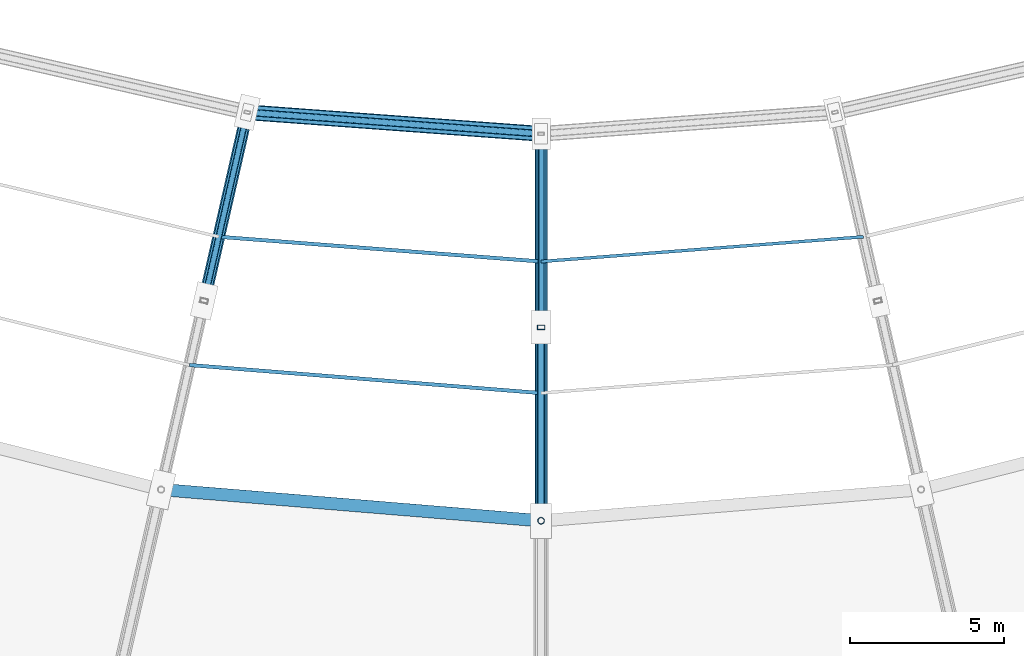
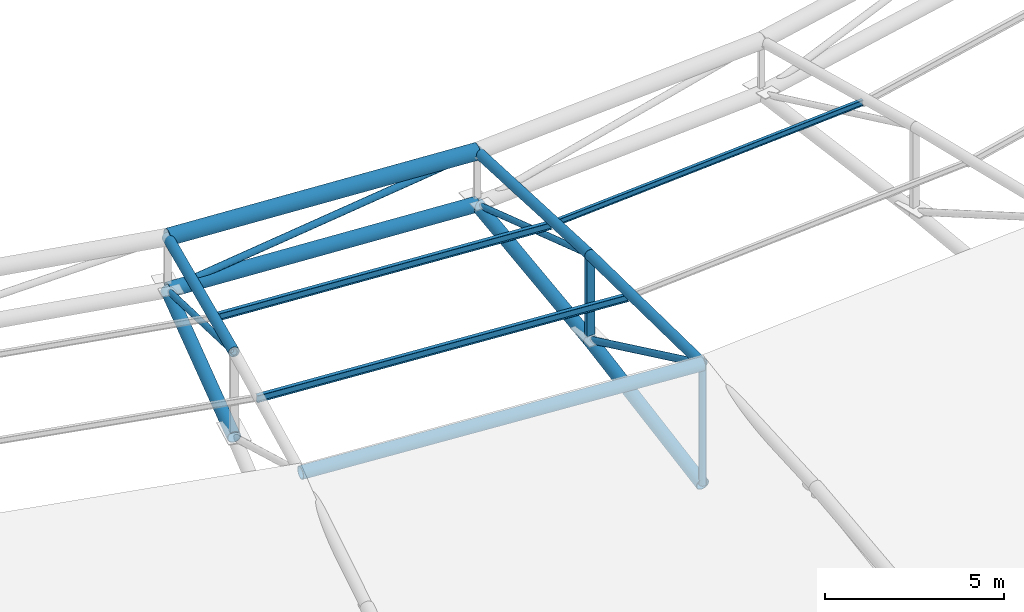
# One storey, part 21 of 108: 18 members.
"""IFC4 building model written with IfcOpenShell, lengths in metres."""

from ifc_helpers import new_model, si_unit, direction, frame, origin, origin_2d, place, context, subcontext, project, spatial, hollow_rectangle, hollow_circle, i_section, extrude, material, material_profile, profile_set, type_object, element, save


model = new_model("IFC4")

# Units and contexts
model_context = context("Model", 3, precision=1e-05, world=origin(), true_north=direction((0.0, 1.0)))
body_context = subcontext(model_context, "Body", "Model", "MODEL_VIEW")
ifc_project = project(units=[si_unit("LENGTHUNIT", "METRE"), si_unit("AREAUNIT", "SQUARE_METRE"), si_unit("VOLUMEUNIT", "CUBIC_METRE"), si_unit("PLANEANGLEUNIT", "RADIAN"), si_unit("MASSUNIT", "GRAM", prefix="KILO")], contexts=[model_context])

# Site, building, storey
site_placement = place(None, origin())
site = spatial("IfcSite", under=ifc_project, at=site_placement, CompositionType="ELEMENT")
building_placement = place(site_placement, origin())
building = spatial("IfcBuilding", under=site, at=building_placement, Name="Zevraka Park Crest Stadium", CompositionType="ELEMENT")
storey_placement = place(building_placement, frame((0.0, 0.0, 29.39990234375)))
storey = spatial("IfcBuildingStorey", under=building, at=storey_placement, Name="RF", CompositionType="ELEMENT", Elevation=29.39990234375)

# Members
ifc_material_1 = material(Name="Steel S355", Category="steel")
ifc_material_profile_1 = material_profile(ifc_material_1, i_section(OverallWidth=0.1201171875, OverallDepth=0.239990234375, WebThickness=0.006103515625, FlangeThickness=0.009765625, at=origin_2d()), Name="IPE 240")
ifc_profile_set_1 = profile_set([ifc_material_profile_1], Name="Steel S355")
member_type_1 = type_object("IfcMemberType", Name="PR01", PredefinedType="PURLIN", material=ifc_profile_set_1)
member_1_placement = place(storey_placement, frame((100.552978515625, 56.471923828125, 9.153076171875), z_axis=(0.996828716776, -0.079577065858, 0.0), x_axis=(0.079577065858, 0.996828716776, 0.0)))
element("IfcMember", 1, at=member_1_placement, inside=storey, type_object=member_type_1, Name="Canopy Roof Purlin PR01 INNER-21-1", PredefinedType="PURLIN", context=body_context, shape_type="SweptSolid", body=[
    extrude(i_section(OverallWidth=0.1201171875, OverallDepth=0.239990234375, WebThickness=0.006103515625, FlangeThickness=0.009765625, at=origin_2d()), origin(), (0.0, 0.0, 1.0), 11.4833984375),
])
member_2_placement = place(storey_placement, frame((101.507080078125, 60.64794921875, 9.01708984375), z_axis=(0.99706348524, -0.076579412382, 0.0), x_axis=(0.076579412382, 0.99706348524, 0.0)))
element("IfcMember", 2, at=member_2_placement, inside=storey, type_object=member_type_1, Name="Canopy Roof Purlin PR01 INNER-21-2", PredefinedType="PURLIN", context=body_context, shape_type="SweptSolid", body=[
    extrude(i_section(OverallWidth=0.1201171875, OverallDepth=0.239990234375, WebThickness=0.006103515625, FlangeThickness=0.009765625, at=origin_2d()), origin(), (0.0, 0.0, 1.0), 10.52392578125),
])
ifc_material_2 = material(Name="Steel S355", Category="steel")
ifc_material_profile_2 = material_profile(ifc_material_2, i_section(OverallWidth=0.10009765625, OverallDepth=0.199951171875, WebThickness=0.005615234375, FlangeThickness=0.008544921875, at=origin_2d()), Name="IPE 200")
ifc_profile_set_2 = profile_set([ifc_material_profile_2], Name="Steel S355")
member_type_2 = type_object("IfcMemberType", Name="PR03", PredefinedType="PURLIN", material=ifc_profile_set_2)
member_3_placement = place(storey_placement, frame((112.0, 59.842041015625, 9.037109375), z_axis=(0.99706348524, 0.076579412382, 0.0), x_axis=(-0.076579412382, 0.99706348524, 0.0)))
element("IfcMember", 3, at=member_3_placement, inside=storey, type_object=member_type_2, Name="Canopy Roof Purlin PR03 INNER-22-2", PredefinedType="PURLIN", context=body_context, shape_type="SweptSolid", body=[
    extrude(i_section(OverallWidth=0.10009765625, OverallDepth=0.199951171875, WebThickness=0.005615234375, FlangeThickness=0.008544921875, at=origin_2d()), origin(), (0.0, 0.0, 1.0), 10.52392578125),
])
ifc_material_3 = material(Name="Steel S355", Category="steel")
ifc_material_profile_3 = material_profile(ifc_material_3, hollow_circle(Radius=0.25390625, WallThickness=0.030029296875, at=origin_2d()), Name="CHS 508.0x30")
ifc_profile_set_3 = profile_set([ifc_material_profile_3], Name="Steel S355")
member_type_3 = type_object("IfcMemberType", Name="TC01", PredefinedType="CHORD", material=ifc_profile_set_3)
member_4_placement = place(storey_placement, frame((102.431884765625, 64.701904296875, 9.0), z_axis=(0.997320063798, -0.073162082708, 0.0), x_axis=(0.073162082708, 0.997320063798, 0.0)))
element("IfcMember", 4, at=member_4_placement, inside=storey, type_object=member_type_3, Name="Roof Inner Oculus Compression-Tension Ring TC01 21", PredefinedType="CHORD", context=body_context, shape_type="SweptSolid", body=[
    extrude(hollow_circle(Radius=0.25390625, WallThickness=0.030029296875, at=origin_2d()), origin(), (0.0, 0.0, 1.0), 9.59375),
])
ifc_material_4 = material(Name="Steel S355", Category="steel")
ifc_material_profile_4 = material_profile(ifc_material_4, hollow_circle(Radius=0.228515625, WallThickness=0.02490234375, at=origin_2d()), Name="CHS 457.0x25")
ifc_profile_set_4 = profile_set([ifc_material_profile_4], Name="Steel S355")
member_type_4 = type_object("IfcMemberType", Name="TC02", PredefinedType="CHORD", material=ifc_profile_set_4)
member_5_placement = place(storey_placement, frame((102.431884765625, 64.701904296875, 7.2001953125), z_axis=(0.997320063798, -0.073162082708, 0.0), x_axis=(0.073162082708, 0.997320063798, 0.0)))
element("IfcMember", 5, at=member_5_placement, inside=storey, type_object=member_type_4, Name="Roof Inner Oculus Bottom Ring TC02 21", PredefinedType="CHORD", context=body_context, shape_type="SweptSolid", body=[
    extrude(hollow_circle(Radius=0.228515625, WallThickness=0.02490234375, at=origin_2d()), origin(), (0.0, 0.0, 1.0), 9.59375),
])
ifc_material_5 = material(Name="Steel S355", Category="steel")
ifc_material_profile_5 = material_profile(ifc_material_5, hollow_circle(Radius=0.203125, WallThickness=0.02001953125, at=origin_2d()), Name="CHS 406.4x20")
ifc_profile_set_5 = profile_set([ifc_material_profile_5], Name="Steel S355")
member_type_5 = type_object("IfcMemberType", Name="TC03", PredefinedType="CHORD", material=ifc_profile_set_5)
member_6_placement = place(storey_placement, frame((101.030029296875, 58.56005859375, 6.400146484375), z_axis=(0.220750829989, 0.967159287709, 0.125984059539), x_axis=(-0.974927248717, 0.222523840765, 0.0)))
element("IfcMember", 6, at=member_6_placement, inside=storey, type_object=member_type_5, Name="Roof Truss Bottom Chord TC03 T21-7", PredefinedType="CHORD", context=body_context, shape_type="SweptSolid", body=[
    extrude(hollow_circle(Radius=0.203125, WallThickness=0.02001953125, at=origin_2d()), origin(), (0.0, 0.0, 1.0), 6.350341796875),
])
member_7_placement = place(storey_placement, frame((112.0, 51.39990234375, 5.300048828125), z_axis=(0.0, 0.985094409339, 0.172014547897), x_axis=(-1.0, 0.0, 0.0)))
element("IfcMember", 7, at=member_7_placement, inside=storey, type_object=member_type_5, Name="Roof Truss Bottom Chord TC03 T22-6", PredefinedType="CHORD", context=body_context, shape_type="SweptSolid", body=[
    extrude(hollow_circle(Radius=0.203125, WallThickness=0.02001953125, at=origin_2d()), origin(), (0.0, 0.0, 1.0), 6.395263671875),
])
member_8_placement = place(storey_placement, frame((112.0, 57.699951171875, 6.400146484375), z_axis=(0.0, 0.992032890363, 0.125979142868), x_axis=(-1.0, 0.0, 0.0)))
element("IfcMember", 8, at=member_8_placement, inside=storey, type_object=member_type_5, Name="Roof Truss Bottom Chord TC03 T22-7", PredefinedType="CHORD", context=body_context, shape_type="SweptSolid", body=[
    extrude(hollow_circle(Radius=0.203125, WallThickness=0.02001953125, at=origin_2d()), origin(), (0.0, 0.0, 1.0), 6.3505859375),
])
member_9_placement = place(storey_placement, frame((99.6279296875, 52.41796875, 9.400146484375), z_axis=(0.996631482992, -0.082010286607, 0.0), x_axis=(0.082010286607, 0.996631482992, 0.0)))
element("IfcMember", 9, at=member_9_placement, inside=storey, type_object=member_type_5, Name="Roof Canopy Arch Crown Ring Chord TC03 21", PredefinedType="CHORD", context=body_context, shape_type="SweptSolid", body=[
    extrude(hollow_circle(Radius=0.203125, WallThickness=0.02001953125, at=origin_2d()), origin(), (0.0, 0.0, 1.0), 12.413818359375),
])
ifc_material_6 = material(Name="Steel S355", Category="steel")
ifc_material_profile_6 = material_profile(ifc_material_6, hollow_circle(Radius=0.161865234375, WallThickness=0.01611328125, at=origin_2d()), Name="CHS 323.9x16")
ifc_profile_set_6 = profile_set([ifc_material_profile_6], Name="Steel S355")
member_type_6 = type_object("IfcMemberType", Name="TC04", PredefinedType="CHORD", material=ifc_profile_set_6)
member_10_placement = place(storey_placement, frame((101.030029296875, 58.56005859375, 9.300048828125), z_axis=(0.222271876519, 0.973823336396, -0.04757438806), x_axis=(-0.974927248717, 0.222523840765, 0.0)))
element("IfcMember", 10, at=member_10_placement, inside=storey, type_object=member_type_6, Name="Roof Truss Top Chord TC04 T21-7", PredefinedType="CHORD", context=body_context, shape_type="SweptSolid", body=[
    extrude(hollow_circle(Radius=0.161865234375, WallThickness=0.01611328125, at=origin_2d()), origin(), (0.0, 0.0, 1.0), 6.306884765625),
])
member_11_placement = place(storey_placement, frame((112.0, 51.39990234375, 9.400146484375), z_axis=(0.0, 0.999873803365, -0.01588638866), x_axis=(-1.0, 0.0, 0.0)))
element("IfcMember", 11, at=member_11_placement, inside=storey, type_object=member_type_6, Name="Roof Truss Top Chord TC04 T22-6", PredefinedType="CHORD", context=body_context, shape_type="SweptSolid", body=[
    extrude(hollow_circle(Radius=0.161865234375, WallThickness=0.01611328125, at=origin_2d()), origin(), (0.0, 0.0, 1.0), 6.30078125),
])
member_12_placement = place(storey_placement, frame((112.0, 57.699951171875, 9.300048828125), z_axis=(0.0, 0.998867787396, -0.047572505743), x_axis=(-1.0, 0.0, 0.0)))
element("IfcMember", 12, at=member_12_placement, inside=storey, type_object=member_type_6, Name="Roof Truss Top Chord TC04 T22-7", PredefinedType="CHORD", context=body_context, shape_type="SweptSolid", body=[
    extrude(hollow_circle(Radius=0.161865234375, WallThickness=0.01611328125, at=origin_2d()), origin(), (0.0, 0.0, 1.0), 6.30712890625),
])
ifc_material_7 = material(Name="Steel S355", Category="steel")
ifc_material_profile_7 = material_profile(ifc_material_7, hollow_circle(Radius=0.109619140625, WallThickness=0.010009765625, at=origin_2d()), Name="CHS 219.1x10")
ifc_profile_set_7 = profile_set([ifc_material_profile_7], Name="Steel S355")
member_type_7 = type_object("IfcMemberType", Name="WB02", PredefinedType="BRACE", material=ifc_profile_set_7)
member_13_placement = place(storey_placement, frame((112.0, 51.39990234375, 5.300048828125), z_axis=(0.0, 0.0, 1.0), x_axis=(0.0, 1.0, 0.0)))
element("IfcMember", 13, at=member_13_placement, inside=storey, type_object=member_type_7, Name="Roof Truss Web Post WB02 T22-5", PredefinedType="BRACE", context=body_context, shape_type="SweptSolid", body=[
    extrude(hollow_circle(Radius=0.109619140625, WallThickness=0.010009765625, at=origin_2d()), origin(), (0.0, 0.0, 1.0), 4.10009765625),
])
member_14_placement = place(storey_placement, frame((112.0, 57.699951171875, 6.400146484375), z_axis=(0.0, -0.902861812271, 0.429930864142), x_axis=(1.0, 0.0, 0.0)))
element("IfcMember", 14, at=member_14_placement, inside=storey, type_object=member_type_7, Name="Roof Truss Web Diagonal WB02 T22-6", PredefinedType="BRACE", context=body_context, shape_type="SweptSolid", body=[
    extrude(hollow_circle(Radius=0.109619140625, WallThickness=0.010009765625, at=origin_2d()), origin(), (0.0, 0.0, 1.0), 6.977783203125),
])
member_15_placement = place(storey_placement, frame((102.431884765625, 64.701904296875, 7.2001953125), z_axis=(0.980220338684, -0.071907669458, 0.184383770171), x_axis=(0.073162082708, 0.997320063798, 0.0)))
element("IfcMember", 15, at=member_15_placement, inside=storey, type_object=member_type_7, Name="Roof Oculus Ring Brace WB02 21", PredefinedType="BRACE", context=body_context, shape_type="SweptSolid", body=[
    extrude(hollow_circle(Radius=0.109619140625, WallThickness=0.010009765625, at=origin_2d()), origin(), (0.0, 0.0, 1.0), 9.76123046875),
])
ifc_material_8 = material(Name="Steel S355", Category="steel")
ifc_material_profile_8 = material_profile(ifc_material_8, hollow_rectangle(XDim=0.14990234375, YDim=0.25, WallThickness=0.010009765625, at=origin_2d()), Name="RHS 250x150x10")
ifc_profile_set_8 = profile_set([ifc_material_profile_8], Name="Steel S355")
member_type_8 = type_object("IfcMemberType", Name="WB04", PredefinedType="BRACE", material=ifc_profile_set_8)
member_16_placement = place(storey_placement, frame((112.0, 57.699951171875, 6.400146484375), z_axis=(0.0, 0.0, 1.0), x_axis=(0.0, 1.0, 0.0)))
element("IfcMember", 16, at=member_16_placement, inside=storey, type_object=member_type_8, Name="Roof Truss Web Post WB04 T22-6", PredefinedType="BRACE", context=body_context, shape_type="SweptSolid", body=[
    extrude(hollow_rectangle(XDim=0.14990234375, YDim=0.25, WallThickness=0.010009765625, at=origin_2d()), origin(), (0.0, 0.0, 1.0), 2.89990234375),
])
ifc_material_9 = material(Name="Steel S355", Category="steel")
ifc_material_profile_9 = material_profile(ifc_material_9, hollow_circle(Radius=0.096923828125, WallThickness=0.010009765625, at=origin_2d()), Name="CHS 193.7x10")
ifc_profile_set_9 = profile_set([ifc_material_profile_9], Name="Steel S355")
member_type_9 = type_object("IfcMemberType", Name="WB08", PredefinedType="BRACE", material=ifc_profile_set_9)
member_17_placement = place(storey_placement, frame((102.431884765625, 64.701904296875, 7.2001953125), z_axis=(-0.21110545018, -0.924900698394, 0.316216993556), x_axis=(0.974927248717, -0.222523840765, 0.0)))
element("IfcMember", 17, at=member_17_placement, inside=storey, type_object=member_type_9, Name="Roof Truss Web Diagonal WB08 T21-7", PredefinedType="BRACE", context=body_context, shape_type="SweptSolid", body=[
    extrude(hollow_circle(Radius=0.096923828125, WallThickness=0.010009765625, at=origin_2d()), origin(), (0.0, 0.0, 1.0), 6.640625),
])
member_18_placement = place(storey_placement, frame((112.0, 64.0, 7.2001953125), z_axis=(0.0, -0.94869065056, 0.316205707633), x_axis=(1.0, 0.0, 0.0)))
element("IfcMember", 18, at=member_18_placement, inside=storey, type_object=member_type_9, Name="Roof Truss Web Diagonal WB08 T22-7", PredefinedType="BRACE", context=body_context, shape_type="SweptSolid", body=[
    extrude(hollow_circle(Radius=0.096923828125, WallThickness=0.010009765625, at=origin_2d()), origin(), (0.0, 0.0, 1.0), 6.640869140625),
])

save(model, "model.ifc")
